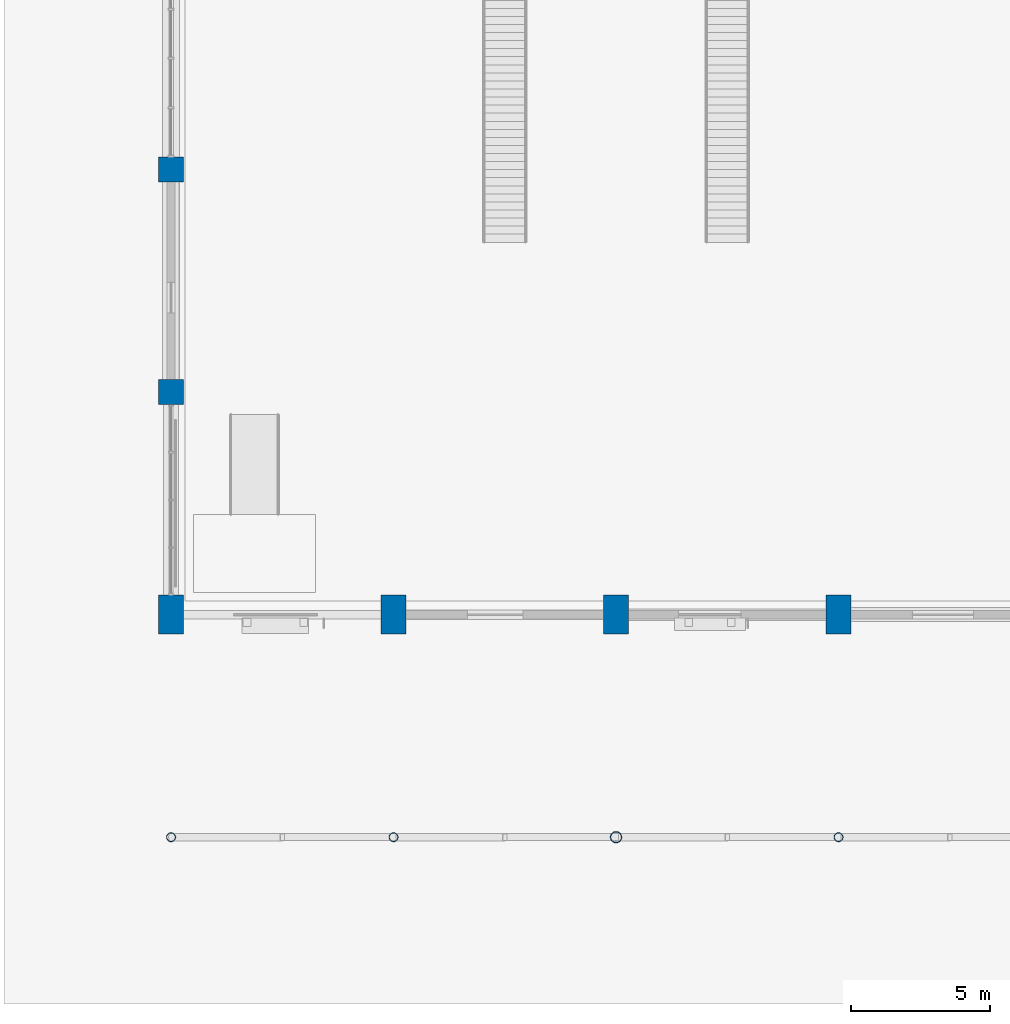
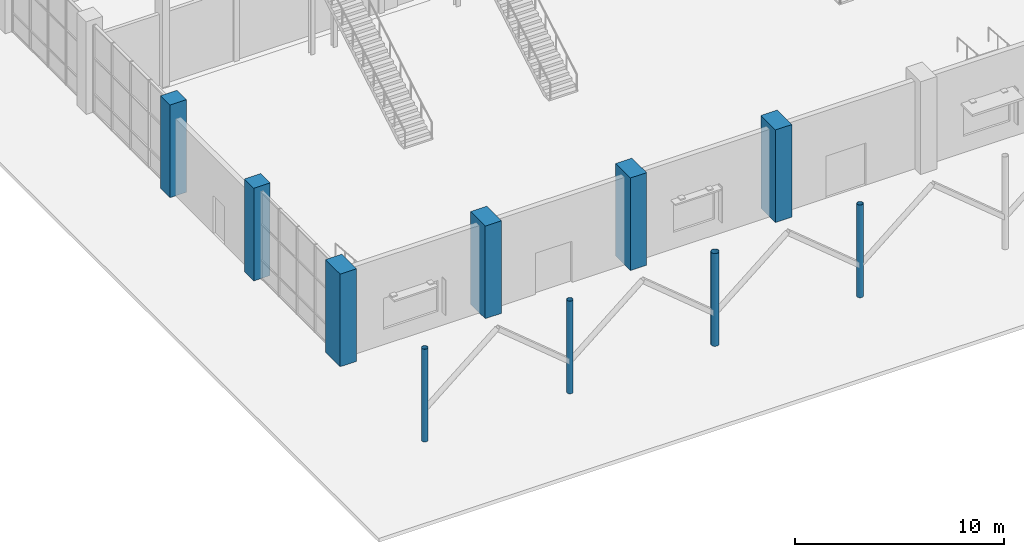
# One storey, part 1 of 123: 10 columns.
"""IFC4 building model written with IfcOpenShell, lengths in metres."""

from ifc_helpers import new_model, si_unit, direction, frame, origin, origin_2d, place, context, subcontext, project, spatial, rectangle, hollow_circle, extrude, material, material_profile, profile_set, type_object, element, save


model = new_model("IFC4")

# Units and contexts
model_context = context("Model", 3, precision=1e-05, world=origin(), true_north=direction((0.0, 1.0)))
body_context = subcontext(model_context, "Body", "Model", "MODEL_VIEW")
ifc_project = project(units=[si_unit("LENGTHUNIT", "METRE"), si_unit("AREAUNIT", "SQUARE_METRE"), si_unit("VOLUMEUNIT", "CUBIC_METRE"), si_unit("PLANEANGLEUNIT", "RADIAN"), si_unit("MASSUNIT", "GRAM", prefix="KILO")], contexts=[model_context])

# Site, building, storey
site_placement = place(None, origin())
site = spatial("IfcSite", under=ifc_project, at=site_placement, CompositionType="ELEMENT")
building_placement = place(site_placement, origin())
building = spatial("IfcBuilding", under=site, at=building_placement, Name="Tenunan Teduh Sports Hall", CompositionType="ELEMENT")
storey_placement = place(building_placement, origin())
storey = spatial("IfcBuildingStorey", under=building, at=storey_placement, Name="L00", CompositionType="ELEMENT", Elevation=0.0)

# Columns
ifc_material_1 = material(Name="Concrete C40/50", Category="concrete")
ifc_material_profile_1 = material_profile(ifc_material_1, rectangle(XDim=0.89990234375, YDim=0.89990234375, at=origin_2d()), Name="RC 900x900")
ifc_profile_set_1 = profile_set([ifc_material_profile_1], Name="Concrete C40/50")
column_type_1 = type_object("IfcColumnType", Name="COL-RC-900", PredefinedType="COLUMN", material=ifc_profile_set_1)
for number, where, z_axis, x_axis, name in (
    (1, (6.0, 22.0, 0.0), (0.0, 0.0, 1.0), (1.0, 0.0, 0.0), "COL-C-03-L00-003"),
    (2, (6.0, 30.0, 0.0), (0.0, 0.0, 1.0), (1.0, 0.0, 0.0), "COL-C-03-L00-004"),
):
    element("IfcColumn", number, at=place(storey_placement, frame(where, z_axis=z_axis, x_axis=x_axis)), inside=storey, type_object=column_type_1, Name=name, PredefinedType="COLUMN", context=body_context, shape_type="SweptSolid", body=[
        extrude(rectangle(XDim=0.89990234375, YDim=0.89990234375, at=origin_2d()), origin(), (0.0, 0.0, 1.0), 5.39990234375),
    ])
ifc_material_2 = material(Name="Concrete C40/50", Category="concrete")
ifc_material_profile_2 = material_profile(ifc_material_2, rectangle(XDim=0.89990234375, YDim=1.39990234375, at=origin_2d()), Name="RC 900x1400")
ifc_profile_set_2 = profile_set([ifc_material_profile_2], Name="Concrete C40/50")
column_type_2 = type_object("IfcColumnType", Name="COL-RC-900x1400", PredefinedType="COLUMN", material=ifc_profile_set_2)
for number, where, z_axis, x_axis, name in (
    (3, (6.0, 14.0, 0.0), (0.0, 0.0, 1.0), (1.0, 0.0, 0.0), "COL-C-13-L00-002"),
    (4, (14.0, 14.0, 0.0), (0.0, 0.0, 1.0), (1.0, 0.0, 0.0), "COL-C-13-L00-016"),
    (5, (22.0, 14.0, 0.0), (0.0, 0.0, 1.0), (1.0, 0.0, 0.0), "COL-C-13-L00-029"),
    (6, (30.0, 14.0, 0.0), (0.0, 0.0, 1.0), (1.0, 0.0, 0.0), "COL-C-13-L00-042"),
):
    element("IfcColumn", number, at=place(storey_placement, frame(where, z_axis=z_axis, x_axis=x_axis)), inside=storey, type_object=column_type_2, Name=name, PredefinedType="COLUMN", context=body_context, shape_type="SweptSolid", body=[
        extrude(rectangle(XDim=0.89990234375, YDim=1.39990234375, at=origin_2d()), origin(), (0.0, 0.0, 1.0), 5.39990234375),
    ])
ifc_material_3 = material(Name="Steel S355", Category="steel")
ifc_material_profile_3 = material_profile(ifc_material_3, hollow_circle(Radius=0.161865234375, WallThickness=0.012451171875, at=origin_2d()), Name="CHS 323.9x12.5")
ifc_profile_set_3 = profile_set([ifc_material_profile_3], Name="Steel S355")
column_type_3 = type_object("IfcColumnType", Name="COL-ST-CHS324", PredefinedType="COLUMN", material=ifc_profile_set_3)
for number, where, z_axis, x_axis, name in (
    (7, (6.0, 6.0, 0.0), (0.0, 0.0, 1.0), (1.0, 0.0, 0.0), "COL-SC-06-L00-001"),
    (8, (14.0, 6.0, 0.0), (0.0, 0.0, 1.0), (1.0, 0.0, 0.0), "COL-SC-06-L00-015"),
    (9, (30.0, 6.0, 0.0), (0.0, 0.0, 1.0), (1.0, 0.0, 0.0), "COL-SC-06-L00-041"),
):
    element("IfcColumn", number, at=place(storey_placement, frame(where, z_axis=z_axis, x_axis=x_axis)), inside=storey, type_object=column_type_3, Name=name, PredefinedType="COLUMN", context=body_context, shape_type="SweptSolid", body=[
        extrude(hollow_circle(Radius=0.161865234375, WallThickness=0.012451171875, at=origin_2d()), origin(), (0.0, 0.0, 1.0), 5.39990234375),
    ])
ifc_material_4 = material(Name="Steel S355", Category="steel")
ifc_material_profile_4 = material_profile(ifc_material_4, hollow_circle(Radius=0.203125, WallThickness=0.01611328125, at=origin_2d()), Name="CHS 406.4x16.0")
ifc_profile_set_4 = profile_set([ifc_material_profile_4], Name="Steel S355")
column_type_4 = type_object("IfcColumnType", Name="COL-ST-CHS406", PredefinedType="COLUMN", material=ifc_profile_set_4)
column_placement = place(storey_placement, frame((22.0, 6.0, 0.0), z_axis=(0.0, 0.0, 1.0), x_axis=(1.0, 0.0, 0.0)))
element("IfcColumn", 10, at=column_placement, inside=storey, type_object=column_type_4, Name="COL-SC-05-L00-028", PredefinedType="COLUMN", context=body_context, shape_type="SweptSolid", body=[
    extrude(hollow_circle(Radius=0.203125, WallThickness=0.01611328125, at=origin_2d()), origin(), (0.0, 0.0, 1.0), 5.39990234375),
])

save(model, "model.ifc")
